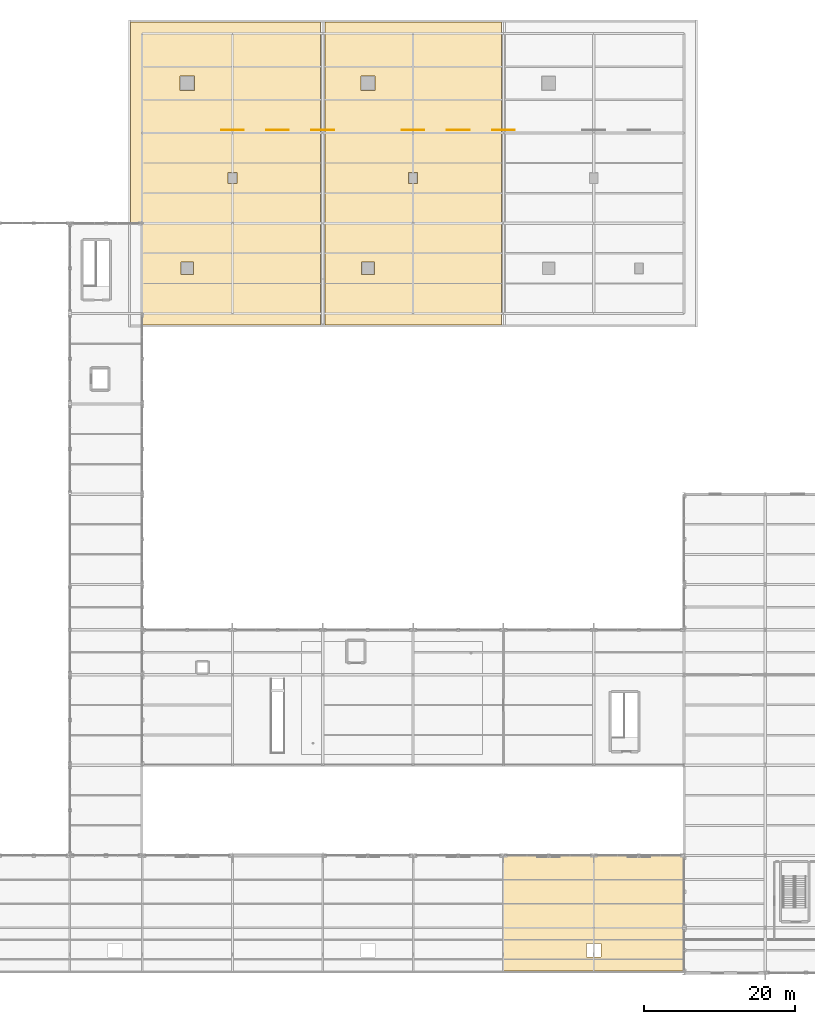
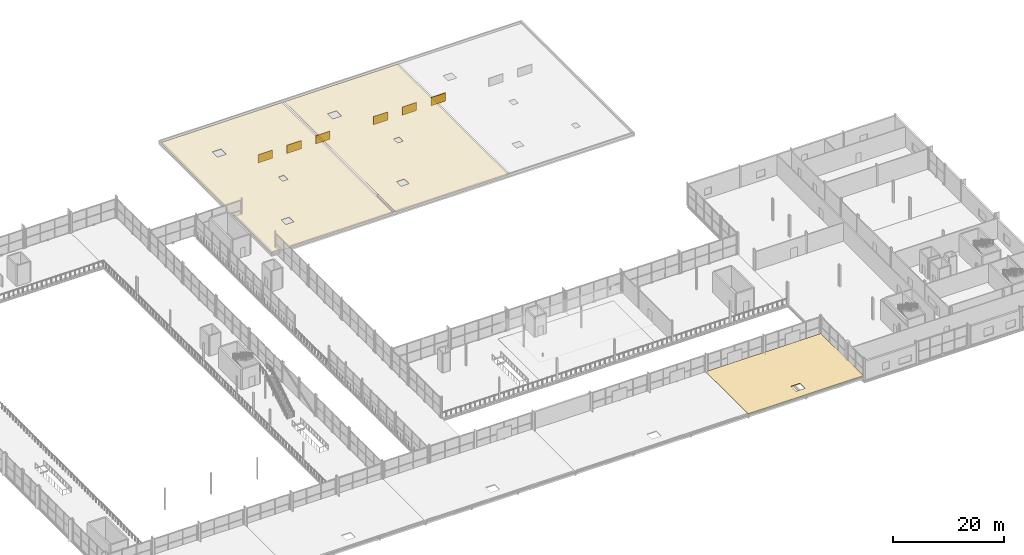
# One storey, part 157 of 159: 6 shading devices, 3 coverings.
"""IFC4 building model written with IfcOpenShell, lengths in metres."""

from ifc_helpers import new_model, si_unit, direction, frame, origin, origin_2d, place, context, subcontext, project, spatial, polyline, rectangle, outline, extrude, material, layer, layer_set, type_object, element, save


model = new_model("IFC4")

# Units and contexts
model_context = context("Model", 3, precision=1e-05, world=origin(), true_north=direction((0.0, 1.0)))
body_context = subcontext(model_context, "Body", "Model", "MODEL_VIEW")
ifc_project = project(units=[si_unit("LENGTHUNIT", "METRE"), si_unit("AREAUNIT", "SQUARE_METRE"), si_unit("VOLUMEUNIT", "CUBIC_METRE"), si_unit("PLANEANGLEUNIT", "RADIAN"), si_unit("MASSUNIT", "GRAM", prefix="KILO")], contexts=[model_context])

# Site, building, storey
site_placement = place(None, origin())
site = spatial("IfcSite", under=ifc_project, at=site_placement, CompositionType="ELEMENT")
building_placement = place(site_placement, origin())
building = spatial("IfcBuilding", under=site, at=building_placement, Name="Merenkruunu Market Hall", CompositionType="ELEMENT")
storey_placement = place(building_placement, frame((0.0, 0.0, 5.39990234375)))
storey = spatial("IfcBuildingStorey", under=building, at=storey_placement, Name="L01", CompositionType="ELEMENT", Elevation=5.39990234375)

# Shading devices
ifc_material_1 = material(Name="Powder-coated aluminium", Category="aluminium")
ifc_layer_1 = layer(ifc_material_1, 0.10009765625)
ifc_layer_set_1 = layer_set([ifc_layer_1], Name="Powder-coated aluminium")
shading_device_type = type_object("IfcShadingDeviceType", Name="Acoustic Plant Louvre Screen LVR01", PredefinedType="JALOUSIE", material=ifc_layer_set_1)
for number, where, z_axis, x_axis, name in (
    (1, (88.800048828125, 112.0, 1.28076171875), (0.0, 0.0, 1.0), (1.0, 0.0, 0.0), "SHD-LVR-01"),
    (2, (94.800048828125, 112.0, 1.28076171875), (0.0, 0.0, 1.0), (1.0, 0.0, 0.0), "SHD-LVR-02"),
    (3, (100.800048828125, 112.0, 1.28076171875), (0.0, 0.0, 1.0), (1.0, 0.0, 0.0), "SHD-LVR-03"),
    (4, (112.800048828125, 112.0, 1.28076171875), (0.0, 0.0, 1.0), (1.0, 0.0, 0.0), "SHD-LVR-04"),
    (5, (118.800048828125, 112.0, 1.28076171875), (0.0, 0.0, 1.0), (1.0, 0.0, 0.0), "SHD-LVR-05"),
    (6, (124.800048828125, 112.0, 1.28076171875), (0.0, 0.0, 1.0), (1.0, 0.0, 0.0), "SHD-LVR-06"),
):
    element("IfcShadingDevice", number, at=place(storey_placement, frame(where, z_axis=z_axis, x_axis=x_axis)), inside=storey, type_object=shading_device_type, Name=name, PredefinedType="JALOUSIE", context=body_context, shape_type="SweptSolid", body=[
        extrude(rectangle(XDim=3.0, YDim=0.10009765625, at=origin_2d()), origin(), (0.0, 0.0, 1.0), 1.800048828125),
    ])

# Coverings
ifc_material_2 = material(Name="High-albedo white steel roof cladding", Category="steel")
ifc_layer_2 = layer(ifc_material_2, 0.080078125)
ifc_layer_set_2 = layer_set([ifc_layer_2], Name="High-albedo white steel roof cladding")
covering_type_1 = type_object("IfcCoveringType", Name="Insulated White Diamond Roof Panel RFG01", PredefinedType="ROOFING", material=ifc_layer_set_2)
covering_1_placement = place(storey_placement, frame((0.0, 0.0, 0.6005859375)))
element("IfcCovering", 7, at=covering_1_placement, inside=storey, type_object=covering_type_1, Name="COV-RFG-V6-05", PredefinedType="ROOFING", context=body_context, shape_type="SweptSolid", body=[
    extrude(outline(polyline([(124.800048828125, 0.25), (148.800048828125, 0.25), (148.800048828125, 15.580078125), (124.800048828125, 15.580078125), (124.800048828125, 0.25)]), holes=[polyline([(135.85009765625, 2.10009765625), (137.75, 2.10009765625), (137.75, 3.89990234375), (135.85009765625, 3.89990234375), (135.85009765625, 2.10009765625)])]), origin(), (0.0, 0.0, 1.0), 0.080078125),
])
ifc_material_3 = material(Name="High-albedo white roof membrane")
ifc_layer_3 = layer(ifc_material_3, 0.06005859375)
ifc_layer_set_3 = layer_set([ifc_layer_3], Name="High-albedo white roof membrane")
covering_type_2 = type_object("IfcCoveringType", Name="Warm Membrane Roof Covering RFG02", PredefinedType="ROOFING", material=ifc_layer_set_3)
covering_2_placement = place(storey_placement, frame((0.0, 0.0, 1.220703125)))
element("IfcCovering", 8, at=covering_2_placement, inside=storey, type_object=covering_type_2, Name="COV-RFG-V5-01", PredefinedType="ROOFING", context=body_context, shape_type="SweptSolid", body=[
    extrude(outline(polyline([(75.280029296875, 86.080078125), (100.52001953125, 86.080078125), (100.52001953125, 126.320068359375), (75.280029296875, 126.320068359375), (75.280029296875, 86.080078125)]), holes=[polyline([(88.2099609375, 104.860107421875), (89.389892578125, 104.860107421875), (89.389892578125, 106.340087890625), (88.2099609375, 106.340087890625), (88.2099609375, 104.860107421875)]), polyline([(81.9599609375, 92.760009765625), (83.639892578125, 92.760009765625), (83.639892578125, 94.43994140625), (81.9599609375, 94.43994140625), (81.9599609375, 92.760009765625)]), polyline([(81.860107421875, 117.260009765625), (83.739990234375, 117.260009765625), (83.739990234375, 119.139892578125), (81.860107421875, 119.139892578125), (81.860107421875, 117.260009765625)])]), origin(), (0.0, 0.0, 1.0), 0.059814453125),
])
covering_3_placement = place(storey_placement, frame((0.0, 0.0, 1.220703125)))
element("IfcCovering", 9, at=covering_3_placement, inside=storey, type_object=covering_type_2, Name="COV-RFG-V5-02", PredefinedType="ROOFING", context=body_context, shape_type="SweptSolid", body=[
    extrude(outline(polyline([(101.080078125, 86.080078125), (124.52001953125, 86.080078125), (124.52001953125, 126.320068359375), (101.080078125, 126.320068359375), (101.080078125, 86.080078125)]), holes=[polyline([(112.2099609375, 104.860107421875), (113.389892578125, 104.860107421875), (113.389892578125, 106.340087890625), (112.2099609375, 106.340087890625), (112.2099609375, 104.860107421875)]), polyline([(105.9599609375, 92.760009765625), (107.639892578125, 92.760009765625), (107.639892578125, 94.43994140625), (105.9599609375, 94.43994140625), (105.9599609375, 92.760009765625)]), polyline([(105.860107421875, 117.260009765625), (107.739990234375, 117.260009765625), (107.739990234375, 119.139892578125), (105.860107421875, 119.139892578125), (105.860107421875, 117.260009765625)])]), origin(), (0.0, 0.0, 1.0), 0.059814453125),
])

save(model, "model.ifc")
